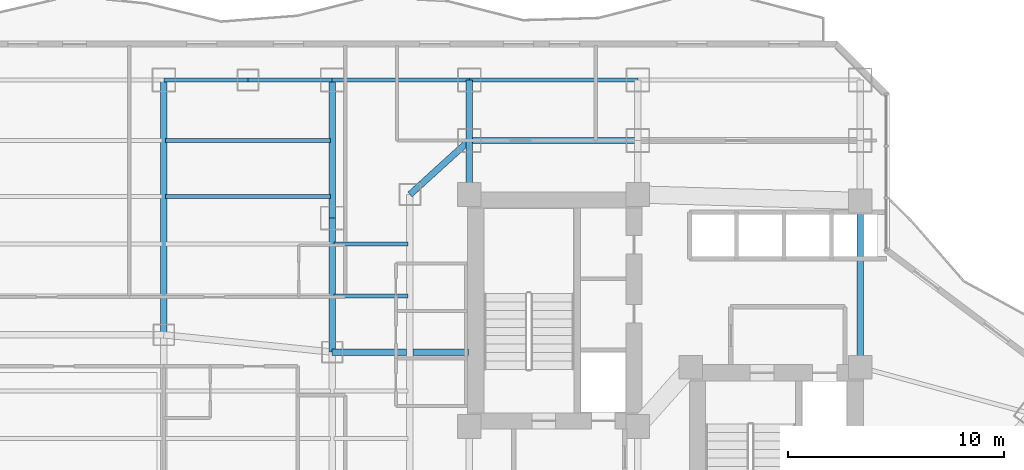
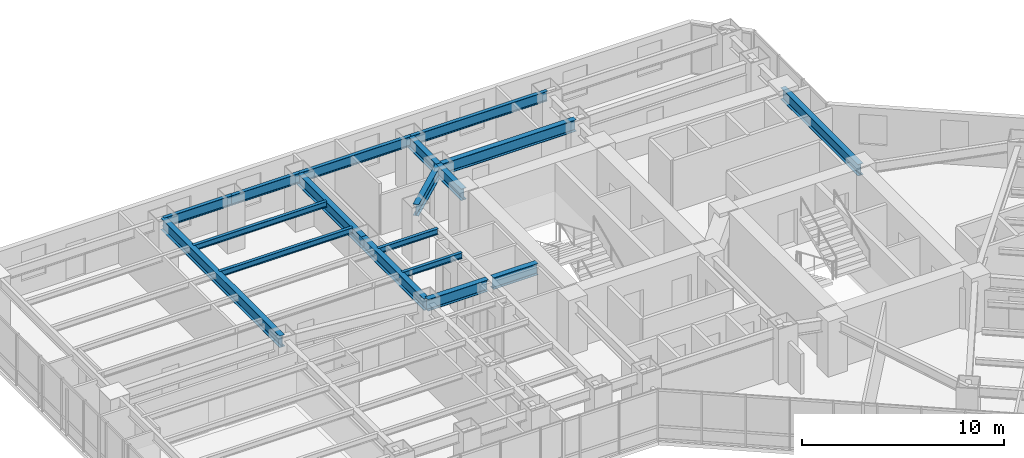
# One storey, part 23 of 39: 18 beams.
"""IFC4 building model written with IfcOpenShell, lengths in metres."""

from ifc_helpers import new_model, si_unit, direction, frame, origin, origin_2d, place, context, subcontext, project, spatial, i_section, extrude, material, material_profile, profile_set, type_object, element, save


model = new_model("IFC4")

# Units and contexts
model_context = context("Model", 3, precision=1e-05, world=origin(), true_north=direction((0.0, 1.0)))
body_context = subcontext(model_context, "Body", "Model", "MODEL_VIEW")
ifc_project = project(units=[si_unit("LENGTHUNIT", "METRE"), si_unit("AREAUNIT", "SQUARE_METRE"), si_unit("VOLUMEUNIT", "CUBIC_METRE"), si_unit("PLANEANGLEUNIT", "RADIAN"), si_unit("MASSUNIT", "GRAM", prefix="KILO")], contexts=[model_context])

# Site, building, storey
site_placement = place(None, origin())
site = spatial("IfcSite", under=ifc_project, at=site_placement, CompositionType="ELEMENT")
building_placement = place(site_placement, origin())
building = spatial("IfcBuilding", under=site, at=building_placement, Name="Hatsunagi Terrace Concourse", CompositionType="ELEMENT")
storey_placement = place(building_placement, frame((0.0, 0.0, 66.75)))
storey = spatial("IfcBuildingStorey", under=building, at=storey_placement, Name="L17", CompositionType="ELEMENT", Elevation=66.75)

# Beams
ifc_material_1 = material(Name="Steel SN490B", Category="steel")
ifc_material_profile_1 = material_profile(ifc_material_1, i_section(OverallWidth=0.300048828125, OverallDepth=0.699951171875, WebThickness=0.012939453125, FlangeThickness=0.02392578125, FilletRadius=0.02197265625, at=origin_2d()), Name="H-700x300x13x24")
ifc_profile_set_1 = profile_set([ifc_material_profile_1], Name="Steel SN490B")
beam_type_1 = type_object("IfcBeamType", Name="HotelFloorGirder_H_700x300", PredefinedType="BEAM", material=ifc_profile_set_1)
beam_1_placement = place(storey_placement, frame((43.64990234375, 35.300048828125, 2.780029296875), z_axis=(0.0, 1.0, 0.0), x_axis=(-1.0, 0.0, 0.0)))
element("IfcBeam", 1, at=beam_1_placement, inside=storey, type_object=beam_type_1, Name="Beam G-04 BM-L17-CBK3", PredefinedType="BEAM", context=body_context, shape_type="SweptSolid", body=[
    extrude(i_section(OverallWidth=0.300048828125, OverallDepth=0.699951171875, WebThickness=0.012939453125, FlangeThickness=0.02392578125, FilletRadius=0.02197265625, at=origin_2d()), origin(), (0.0, 0.0, 1.0), 7.699951171875),
])
beam_2_placement = place(storey_placement, frame((25.550048828125, 43.300048828125, 2.780029296875), z_axis=(0.0, 1.0, 0.0), x_axis=(-1.0, 0.0, 0.0)))
element("IfcBeam", 2, at=beam_2_placement, inside=storey, type_object=beam_type_1, Name="Beam G-04 BM-L17-CN1", PredefinedType="BEAM", context=body_context, shape_type="SweptSolid", body=[
    extrude(i_section(OverallWidth=0.300048828125, OverallDepth=0.699951171875, WebThickness=0.012939453125, FlangeThickness=0.02392578125, FilletRadius=0.02197265625, at=origin_2d()), origin(), (0.0, 0.0, 1.0), 2.5),
])
beam_3_placement = place(storey_placement, frame((25.550048828125, 45.800048828125, 2.780029296875), z_axis=(1.0, 0.0, 0.0), x_axis=(0.0, 1.0, 0.0)))
element("IfcBeam", 3, at=beam_3_placement, inside=storey, type_object=beam_type_1, Name="Beam G-04 BM-L17-CNEW1", PredefinedType="BEAM", context=body_context, shape_type="SweptSolid", body=[
    extrude(i_section(OverallWidth=0.300048828125, OverallDepth=0.699951171875, WebThickness=0.012939453125, FlangeThickness=0.02392578125, FilletRadius=0.02197265625, at=origin_2d()), origin(), (0.0, 0.0, 1.0), 7.800048828125),
])
beam_4_placement = place(storey_placement, frame((25.550048828125, 45.800048828125, 2.780029296875), z_axis=(0.0, 1.0, 0.0), x_axis=(-1.0, 0.0, 0.0)))
element("IfcBeam", 4, at=beam_4_placement, inside=storey, type_object=beam_type_1, Name="Beam G-04 BM-L17-KN-WN4", PredefinedType="BEAM", context=body_context, shape_type="SweptSolid", body=[
    extrude(i_section(OverallWidth=0.300048828125, OverallDepth=0.699951171875, WebThickness=0.012939453125, FlangeThickness=0.02392578125, FilletRadius=0.02197265625, at=origin_2d()), origin(), (0.0, 0.0, 1.0), 2.800048828125),
])
beam_5_placement = place(storey_placement, frame((22.800048828125, 43.300048828125, 2.780029296875), z_axis=(0.739940073396, 0.672672793996, 0.0), x_axis=(-0.672672793996, 0.739940073396, 0.0)))
element("IfcBeam", 5, at=beam_5_placement, inside=storey, type_object=beam_type_1, Name="Beam G-04 BM-L17-CWEW-N", PredefinedType="BEAM", context=body_context, shape_type="SweptSolid", body=[
    extrude(i_section(OverallWidth=0.300048828125, OverallDepth=0.699951171875, WebThickness=0.012939453125, FlangeThickness=0.02392578125, FilletRadius=0.02197265625, at=origin_2d()), origin(), (0.0, 0.0, 1.0), 3.716552734375),
])
beam_6_placement = place(storey_placement, frame((11.39990234375, 36.800048828125, 2.780029296875), z_axis=(0.0, 1.0, 0.0), x_axis=(-1.0, 0.0, 0.0)))
element("IfcBeam", 6, at=beam_6_placement, inside=storey, type_object=beam_type_1, Name="Beam G-04 BM-L17-NS-11-36", PredefinedType="BEAM", context=body_context, shape_type="SweptSolid", body=[
    extrude(i_section(OverallWidth=0.300048828125, OverallDepth=0.699951171875, WebThickness=0.012939453125, FlangeThickness=0.02392578125, FilletRadius=0.02197265625, at=origin_2d()), origin(), (0.0, 0.0, 1.0), 11.800048828125),
])
beam_7_placement = place(storey_placement, frame((19.199951171875, 36.0, 2.780029296875), z_axis=(0.0, 1.0, 0.0), x_axis=(-1.0, 0.0, 0.0)))
element("IfcBeam", 7, at=beam_7_placement, inside=storey, type_object=beam_type_1, Name="Beam G-04 BM-L17-NS-19-36", PredefinedType="BEAM", context=body_context, shape_type="SweptSolid", body=[
    extrude(i_section(OverallWidth=0.300048828125, OverallDepth=0.699951171875, WebThickness=0.012939453125, FlangeThickness=0.02392578125, FilletRadius=0.02197265625, at=origin_2d()), origin(), (0.0, 0.0, 1.0), 6.199951171875),
])
beam_8_placement = place(storey_placement, frame((19.199951171875, 42.199951171875, 2.780029296875), z_axis=(0.0, 1.0, 0.0), x_axis=(-1.0, 0.0, 0.0)))
element("IfcBeam", 8, at=beam_8_placement, inside=storey, type_object=beam_type_1, Name="Beam G-04 BM-L17-NS-19-42", PredefinedType="BEAM", context=body_context, shape_type="SweptSolid", body=[
    extrude(i_section(OverallWidth=0.300048828125, OverallDepth=0.699951171875, WebThickness=0.012939453125, FlangeThickness=0.02392578125, FilletRadius=0.02197265625, at=origin_2d()), origin(), (0.0, 0.0, 1.0), 6.400146484375),
])
beam_9_placement = place(storey_placement, frame((19.199951171875, 36.0, 2.780029296875), z_axis=(1.0, 0.0, 0.0), x_axis=(0.0, 1.0, 0.0)))
element("IfcBeam", 9, at=beam_9_placement, inside=storey, type_object=beam_type_1, Name="Beam G-04 BM-L17-EW-3", PredefinedType="BEAM", context=body_context, shape_type="SweptSolid", body=[
    extrude(i_section(OverallWidth=0.300048828125, OverallDepth=0.699951171875, WebThickness=0.012939453125, FlangeThickness=0.02392578125, FilletRadius=0.02197265625, at=origin_2d()), origin(), (0.0, 0.0, 1.0), 3.449951171875),
])
beam_10_placement = place(storey_placement, frame((22.949951171875, 36.0, 2.780029296875), z_axis=(1.0, 0.0, 0.0), x_axis=(0.0, 1.0, 0.0)))
element("IfcBeam", 10, at=beam_10_placement, inside=storey, type_object=beam_type_1, Name="Beam G-04 BM-L17-EW-4", PredefinedType="BEAM", context=body_context, shape_type="SweptSolid", body=[
    extrude(i_section(OverallWidth=0.300048828125, OverallDepth=0.699951171875, WebThickness=0.012939453125, FlangeThickness=0.02392578125, FilletRadius=0.02197265625, at=origin_2d()), origin(), (0.0, 0.0, 1.0), 2.56005859375),
])
ifc_material_2 = material(Name="Steel SN490B", Category="steel")
ifc_material_profile_2 = material_profile(ifc_material_2, i_section(OverallWidth=0.175048828125, OverallDepth=0.35009765625, WebThickness=0.007080078125, FlangeThickness=0.010986328125, FilletRadius=0.012939453125, at=origin_2d()), Name="H-350x175x7x11")
ifc_profile_set_2 = profile_set([ifc_material_profile_2], Name="Steel SN490B")
beam_type_2 = type_object("IfcBeamType", Name="HotelJoist_H_350x175", PredefinedType="JOIST", material=ifc_profile_set_2)
for number, where, z_axis, x_axis, name in (
    (11, (19.284912109375, 38.60009765625, 2.955078125), (1.0, 0.0, 0.0), (0.0, 1.0, 0.0), "Beam J-02 J-L17-W-19-386"),
    (12, (19.284912109375, 41.0, 2.955078125), (1.0, 0.0, 0.0), (0.0, 1.0, 0.0), "Beam J-02 J-L17-W-19-410"),
):
    element("IfcBeam", number, at=place(storey_placement, frame(where, z_axis=z_axis, x_axis=x_axis)), inside=storey, type_object=beam_type_2, Name=name, PredefinedType="JOIST", context=body_context, shape_type="SweptSolid", body=[
        extrude(i_section(OverallWidth=0.175048828125, OverallDepth=0.35009765625, WebThickness=0.007080078125, FlangeThickness=0.010986328125, FilletRadius=0.012939453125, at=origin_2d()), origin(), (0.0, 0.0, 1.0), 3.43017578125),
    ])
for number, where, z_axis, x_axis, name in (
    (13, (11.485107421875, 43.199951171875, 2.955078125), (1.0, 0.0, 0.0), (0.0, 1.0, 0.0), "Beam J-02 J-L17-W-11-432"),
    (14, (11.485107421875, 45.800048828125, 2.955078125), (1.0, 0.0, 0.0), (0.0, 1.0, 0.0), "Beam J-02 J-L17-W-11-458"),
):
    element("IfcBeam", number, at=place(storey_placement, frame(where, z_axis=z_axis, x_axis=x_axis)), inside=storey, type_object=beam_type_2, Name=name, PredefinedType="JOIST", context=body_context, shape_type="SweptSolid", body=[
        extrude(i_section(OverallWidth=0.175048828125, OverallDepth=0.35009765625, WebThickness=0.007080078125, FlangeThickness=0.010986328125, FilletRadius=0.012939453125, at=origin_2d()), origin(), (0.0, 0.0, 1.0), 7.6298828125),
    ])
ifc_material_3 = material(Name="Steel SN490B", Category="steel")
ifc_material_profile_3 = material_profile(ifc_material_3, i_section(OverallWidth=0.199951171875, OverallDepth=0.60009765625, WebThickness=0.010986328125, FlangeThickness=0.01708984375, FilletRadius=0.01806640625, at=origin_2d()), Name="H-600x200x11x17")
ifc_profile_set_3 = profile_set([ifc_material_profile_3], Name="Steel SN490B")
beam_type_3 = type_object("IfcBeamType", Name="PerimeterSpandrel_H_600x200", PredefinedType="SPANDREL", material=ifc_profile_set_3)
beam_11_placement = place(storey_placement, frame((11.39990234375, 48.60009765625, 2.830078125), z_axis=(1.0, 0.0, 0.0), x_axis=(0.0, 1.0, 0.0)))
element("IfcBeam", 15, at=beam_11_placement, inside=storey, type_object=beam_type_3, Name="Beam SP-01 BM-L17-WN-11", PredefinedType="SPANDREL", context=body_context, shape_type="SweptSolid", body=[
    extrude(i_section(OverallWidth=0.199951171875, OverallDepth=0.60009765625, WebThickness=0.010986328125, FlangeThickness=0.01708984375, FilletRadius=0.01806640625, at=origin_2d()), origin(), (0.0, 0.0, 1.0), 3.900146484375),
])
beam_12_placement = place(storey_placement, frame((15.300048828125, 48.60009765625, 2.830078125), z_axis=(1.0, 0.0, 0.0), x_axis=(0.0, 1.0, 0.0)))
element("IfcBeam", 16, at=beam_12_placement, inside=storey, type_object=beam_type_3, Name="Beam SP-01 BM-L17-WN-15", PredefinedType="SPANDREL", context=body_context, shape_type="SweptSolid", body=[
    extrude(i_section(OverallWidth=0.199951171875, OverallDepth=0.60009765625, WebThickness=0.010986328125, FlangeThickness=0.01708984375, FilletRadius=0.01806640625, at=origin_2d()), origin(), (0.0, 0.0, 1.0), 3.89990234375),
])
beam_13_placement = place(storey_placement, frame((19.199951171875, 48.60009765625, 2.830078125), z_axis=(1.0, 0.0, 0.0), x_axis=(0.0, 1.0, 0.0)))
element("IfcBeam", 17, at=beam_13_placement, inside=storey, type_object=beam_type_3, Name="Beam SP-01 BM-L17-WN-19", PredefinedType="SPANDREL", context=body_context, shape_type="SweptSolid", body=[
    extrude(i_section(OverallWidth=0.199951171875, OverallDepth=0.60009765625, WebThickness=0.010986328125, FlangeThickness=0.01708984375, FilletRadius=0.01806640625, at=origin_2d()), origin(), (0.0, 0.0, 1.0), 6.35009765625),
])
beam_14_placement = place(storey_placement, frame((25.550048828125, 48.60009765625, 2.830078125), z_axis=(1.0, 0.0, 0.0), x_axis=(0.0, 1.0, 0.0)))
element("IfcBeam", 18, at=beam_14_placement, inside=storey, type_object=beam_type_3, Name="Beam SP-01 BM-L17-WN-25", PredefinedType="SPANDREL", context=body_context, shape_type="SweptSolid", body=[
    extrude(i_section(OverallWidth=0.199951171875, OverallDepth=0.60009765625, WebThickness=0.010986328125, FlangeThickness=0.01708984375, FilletRadius=0.01806640625, at=origin_2d()), origin(), (0.0, 0.0, 1.0), 7.800048828125),
])

save(model, "model.ifc")
